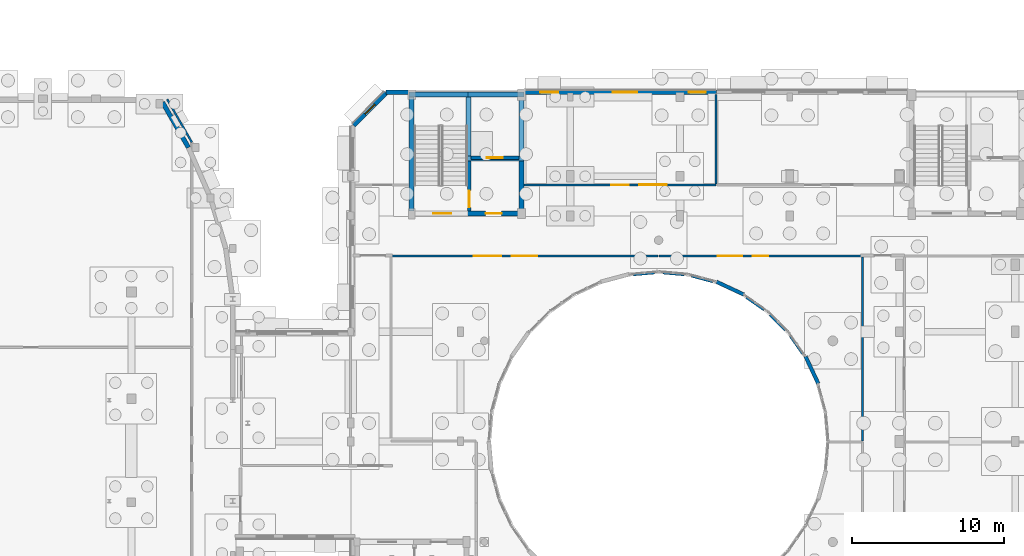
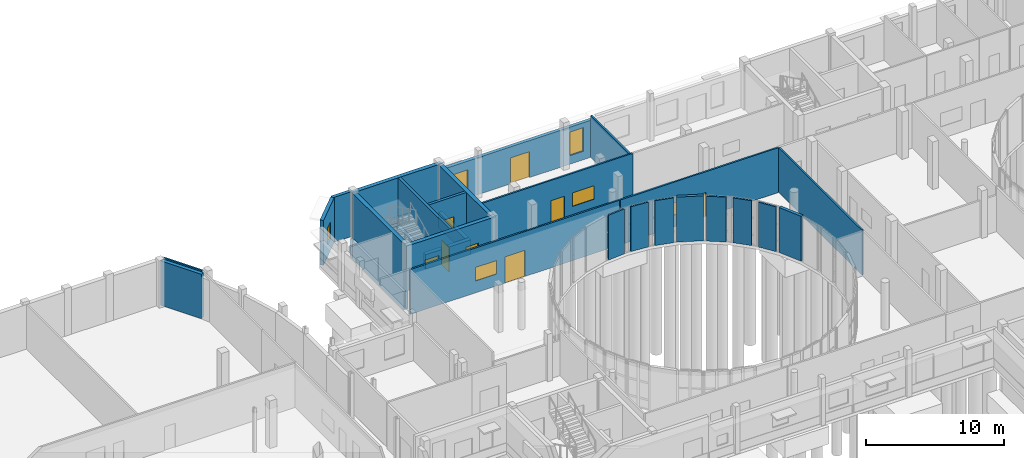
# One storey, part 71 of 93: 30 walls, 8 doors, 6 windows, 14 openings.
"""IFC4 building model written with IfcOpenShell, lengths in metres."""

from ifc_helpers import new_model, si_unit, direction, frame, frame_2d, origin, place, context, subcontext, project, spatial, rectangle, extrude, material, layer, layer_set, type_object, element, fill, save


model = new_model("IFC4")

# Units and contexts
model_context = context("Model", 3, precision=1e-05, world=origin(), true_north=direction((0.0, 1.0)))
body_context = subcontext(model_context, "Body", "Model", "MODEL_VIEW")
ifc_project = project(units=[si_unit("LENGTHUNIT", "METRE"), si_unit("AREAUNIT", "SQUARE_METRE"), si_unit("VOLUMEUNIT", "CUBIC_METRE"), si_unit("PLANEANGLEUNIT", "RADIAN"), si_unit("MASSUNIT", "GRAM", prefix="KILO")], contexts=[model_context])

# Site, building, storey
site_placement = place(None, origin())
site = spatial("IfcSite", under=ifc_project, at=site_placement, CompositionType="ELEMENT")
building_placement = place(site_placement, origin())
building = spatial("IfcBuilding", under=site, at=building_placement, Name="Kelanivale Promenade Academy", CompositionType="ELEMENT")
storey_placement = place(building_placement, origin())
storey = spatial("IfcBuildingStorey", under=building, at=storey_placement, Name="L00", CompositionType="ELEMENT", Elevation=0.0)

# Walls
ifc_material_1 = material(Name="Concrete C40/50", Category="concrete")
ifc_layer_1 = layer(ifc_material_1, 0.330078125)
ifc_layer_set_1 = layer_set([ifc_layer_1], Name="Concrete C40/50")
wall_type_1 = type_object("IfcWallType", Name="CW-S1 Wall 330mm", PredefinedType="SHEAR", material=ifc_layer_set_1)
for number, where, z_axis, x_axis, name in (
    (1, (50.7548828125, 75.360107421875, -1.550048828125), (0.0, 0.0, 1.0), (1.0, 0.0, 0.0), "CORE-4 lift pit wall"),
    (2, (50.7548828125, 79.550048828125, -1.550048828125), (0.0, 0.0, 1.0), (1.0, 0.0, 0.0), "CORE-4 lift pit wall"),
):
    element("IfcWall", number, at=place(storey_placement, frame(where, z_axis=z_axis, x_axis=x_axis)), inside=storey, type_object=wall_type_1, Name=name, PredefinedType="SHEAR", context=body_context, shape_type="SweptSolid", body=[
        extrude(rectangle(XDim=3.81005859375, YDim=0.330078125, at=frame_2d((1.905029296875, 0.0))), origin(), (0.0, 0.0, 1.0), 1.300048828125),
    ])
for number, where, z_axis, x_axis, name in (
    (3, (50.919921875, 75.52490234375, -1.550048828125), (0.0, 0.0, 1.0), (0.0, 1.0, 0.0), "CORE-4 lift pit wall"),
    (4, (54.39990234375, 75.52490234375, -1.550048828125), (0.0, 0.0, 1.0), (0.0, 1.0, 0.0), "CORE-4 lift pit wall"),
):
    element("IfcWall", number, at=place(storey_placement, frame(where, z_axis=z_axis, x_axis=x_axis)), inside=storey, type_object=wall_type_1, Name=name, PredefinedType="SHEAR", context=body_context, shape_type="SweptSolid", body=[
        extrude(rectangle(XDim=3.860107421875, YDim=0.330078125, at=frame_2d((1.93017578125, 0.0))), origin(), (0.0, 0.0, 1.0), 1.300048828125),
    ])
wall_1_placement = place(storey_placement, frame((47.199951171875, 71.9150390625, -1.85009765625), z_axis=(0.0, 0.0, 1.0), x_axis=(0.0, 1.0, 0.0)))
element("IfcWall", 5, at=wall_1_placement, inside=storey, type_object=wall_type_1, Name="CORE-4 core raft starter wall", PredefinedType="SHEAR", context=body_context, shape_type="SweptSolid", body=[
    extrude(rectangle(XDim=7.469970703125, YDim=0.330078125, at=frame_2d((3.73486328125, 0.0))), origin(), (0.0, 0.0, 1.0), 1.60009765625),
])
wall_2_placement = place(storey_placement, frame((47.034912109375, 79.550048828125, -1.85009765625), z_axis=(0.0, 0.0, 1.0), x_axis=(1.0, 0.0, 0.0)))
element("IfcWall", 6, at=wall_2_placement, inside=storey, type_object=wall_type_1, Name="CORE-4 core raft starter wall", PredefinedType="SHEAR", context=body_context, shape_type="SweptSolid", body=[
    extrude(rectangle(XDim=3.864990234375, YDim=0.330078125, at=frame_2d((1.9326171875, 0.0))), origin(), (0.0, 0.0, 1.0), 1.60009765625),
])

# Wall, openings, doors
wall_3_placement = place(storey_placement, frame((47.034912109375, 71.75, 0.0), z_axis=(0.0, 0.0, 1.0), x_axis=(1.0, 0.0, 0.0)))
wall_3 = element("IfcWall", 7, at=wall_3_placement, inside=storey, type_object=wall_type_1, Name="CORE-4 RC shear wall S L00", PredefinedType="SHEAR", context=body_context, shape_type="SweptSolid", body=[
    extrude(rectangle(XDim=7.530029296875, YDim=0.330078125, at=frame_2d((3.76513671875, 0.0))), origin(), (0.0, 0.0, 1.0), 3.97998046875),
])
opening_1_placement = place(wall_3_placement, frame((5.014892578125, 0.0, 0.0)))
opening_1 = element("IfcOpeningElement", 8, at=opening_1_placement, cuts=wall_3, Name="Opening FD-CORE-4-LB-L00", PredefinedType="OPENING", context=body_context, shape_type="SweptSolid", body=[
    extrude(rectangle(XDim=1.050048828125, YDim=2.14990234375, at=frame_2d((0.52490234375, 1.074951171875))), frame((0.0, 0.175048828125, 0.0), z_axis=(0.0, -1.0, 0.0), x_axis=(1.0, 0.0, 0.0)), (0.0, 0.0, 1.0), 0.35009765625),
])
opening_2_placement = place(wall_3_placement, frame((1.56494140625, 0.0, 0.0)))
opening_2 = element("IfcOpeningElement", 9, at=opening_2_placement, cuts=wall_3, Name="Opening FD-CORE-4-ST-L00", PredefinedType="OPENING", context=body_context, shape_type="SweptSolid", body=[
    extrude(rectangle(XDim=1.199951171875, YDim=2.199951171875, at=frame_2d((0.60009765625, 1.10009765625))), frame((0.0, 0.175048828125, 0.0), z_axis=(0.0, -1.0, 0.0), x_axis=(1.0, 0.0, 0.0)), (0.0, 0.0, 1.0), 0.35009765625),
])
ifc_material_2 = material(Name="Fire-rated steel-core teak veneer", Category="steel")
door_type_1 = type_object("IfcDoorType", Name="DT-F02 Door 1200x2200", OperationType="NOTDEFINED", PredefinedType="DOOR", material=ifc_material_2)
door_1_placement = place(opening_2_placement, frame((1.199951171875, 0.0, 0.0), z_axis=(0.0, 0.0, 1.0), x_axis=(-1.0, 0.0, 0.0)))
door_1 = element("IfcDoor", 10, at=door_1_placement, inside=storey, type_object=door_type_1, Name="CORE-4 protected stair fire door L00", OperationType="SINGLE_SWING_LEFT", OverallHeight=2.199951171875, OverallWidth=1.199951171875, PredefinedType="DOOR", context=body_context, shape_type="SweptSolid", body=[
    extrude(rectangle(XDim=1.199951171875, YDim=2.199951171875, at=frame_2d((0.60009765625, 1.10009765625))), frame((0.0, 0.02490234375, 0.0), z_axis=(0.0, -1.0, 0.0), x_axis=(1.0, 0.0, 0.0)), (0.0, 0.0, 1.0), 0.050048828125),
])
fill(opening_2, door_1)
door_type_2 = type_object("IfcDoorType", Name="DT-F03 Door 1050x2150", OperationType="NOTDEFINED", PredefinedType="DOOR", material=ifc_material_2)
door_2_placement = place(opening_1_placement, origin())
door_2 = element("IfcDoor", 11, at=door_2_placement, inside=storey, type_object=door_type_2, Name="CORE-4 corridor-to-lobby fire door L00", OperationType="SINGLE_SWING_RIGHT", OverallHeight=2.14990234375, OverallWidth=1.050048828125, PredefinedType="DOOR", context=body_context, shape_type="SweptSolid", body=[
    extrude(rectangle(XDim=1.050048828125, YDim=2.14990234375, at=frame_2d((0.52490234375, 1.074951171875))), frame((0.0, 0.02490234375, 0.0), z_axis=(0.0, -1.0, 0.0), x_axis=(1.0, 0.0, 0.0)), (0.0, 0.0, 1.0), 0.050048828125),
])
fill(opening_1, door_2)

# Walls
wall_4_placement = place(storey_placement, frame((47.034912109375, 79.550048828125, 0.0), z_axis=(0.0, 0.0, 1.0), x_axis=(1.0, 0.0, 0.0)))
element("IfcWall", 12, at=wall_4_placement, inside=storey, type_object=wall_type_1, Name="CORE-4 RC shear wall N L00", PredefinedType="SHEAR", context=body_context, shape_type="SweptSolid", body=[
    extrude(rectangle(XDim=7.530029296875, YDim=0.330078125, at=frame_2d((3.76513671875, 0.0))), origin(), (0.0, 0.0, 1.0), 3.97998046875),
])
for number, where, z_axis, x_axis, name in (
    (13, (47.199951171875, 71.9150390625, 0.0), (0.0, 0.0, 1.0), (0.0, 1.0, 0.0), "CORE-4 RC shear wall W L00"),
    (14, (54.39990234375, 71.9150390625, 0.0), (0.0, 0.0, 1.0), (0.0, 1.0, 0.0), "CORE-4 RC shear wall E L00"),
):
    element("IfcWall", number, at=place(storey_placement, frame(where, z_axis=z_axis, x_axis=x_axis)), inside=storey, type_object=wall_type_1, Name=name, PredefinedType="SHEAR", context=body_context, shape_type="SweptSolid", body=[
        extrude(rectangle(XDim=7.469970703125, YDim=0.330078125, at=frame_2d((3.73486328125, 0.0))), origin(), (0.0, 0.0, 1.0), 3.97998046875),
    ])

# Wall, opening, door
ifc_layer_2 = layer(ifc_material_1, 0.22509765625)
ifc_layer_set_2 = layer_set([ifc_layer_2], Name="Concrete C40/50")
wall_type_2 = type_object("IfcWallType", Name="CW-S2 Wall 225mm", PredefinedType="SHEAR", material=ifc_layer_set_2)
wall_5_placement = place(storey_placement, frame((51.0849609375, 75.419921875, 0.0), z_axis=(0.0, 0.0, 1.0), x_axis=(1.0, 0.0, 0.0)))
wall_5 = element("IfcWall", 15, at=wall_5_placement, inside=storey, type_object=wall_type_2, Name="CORE-4 lift shaft front RC wall L00", PredefinedType="SHEAR", context=body_context, shape_type="SweptSolid", body=[
    extrude(rectangle(XDim=3.150146484375, YDim=0.22509765625, at=frame_2d((1.5751953125, 0.0))), origin(), (0.0, 0.0, 1.0), 3.97998046875),
])
opening_3_placement = place(wall_5_placement, frame((1.050048828125, 0.0, 0.0)))
opening_3 = element("IfcOpeningElement", 16, at=opening_3_placement, cuts=wall_5, Name="Opening LD-LF-P2-L00", PredefinedType="OPENING", context=body_context, shape_type="SweptSolid", body=[
    extrude(rectangle(XDim=1.050048828125, YDim=2.199951171875, at=frame_2d((0.52490234375, 1.10009765625))), frame((0.0, 0.12255859375, 0.0), z_axis=(0.0, -1.0, 0.0), x_axis=(1.0, 0.0, 0.0)), (0.0, 0.0, 1.0), 0.2451171875),
])
door_type_3 = type_object("IfcDoorType", Name="LD-PL1 Door 1050x2200", OperationType="NOTDEFINED", PredefinedType="DOOR", material=ifc_material_2)
door_3_placement = place(opening_3_placement, origin())
door_3 = element("IfcDoor", 17, at=door_3_placement, inside=storey, type_object=door_type_3, Name="Passenger lift landing door LD-LF-P2-L00", OperationType="SLIDING_TO_LEFT", OverallHeight=2.199951171875, OverallWidth=1.050048828125, PredefinedType="DOOR", context=body_context, shape_type="SweptSolid", body=[
    extrude(rectangle(XDim=1.050048828125, YDim=2.199951171875, at=frame_2d((0.52490234375, 1.10009765625))), frame((0.0, 0.02490234375, 0.0), z_axis=(0.0, -1.0, 0.0), x_axis=(1.0, 0.0, 0.0)), (0.0, 0.0, 1.0), 0.050048828125),
])
fill(opening_3, door_3)

ifc_layer_3 = layer(ifc_material_1, 0.219970703125)
ifc_layer_set_3 = layer_set([ifc_layer_3], Name="Concrete C40/50")
wall_type_3 = type_object("IfcWallType", Name="CW-S3 Wall 220mm", PredefinedType="SHEAR", material=ifc_layer_set_3)
wall_6_placement = place(storey_placement, frame((50.97509765625, 71.9150390625, 0.0), z_axis=(0.0, 0.0, 1.0), x_axis=(0.0, 1.0, 0.0)))
wall_6 = element("IfcWall", 18, at=wall_6_placement, inside=storey, type_object=wall_type_3, Name="CORE-4 stair-lobby dividing RC wall L00", PredefinedType="SHEAR", context=body_context, shape_type="SweptSolid", body=[
    extrude(rectangle(XDim=7.469970703125, YDim=0.219970703125, at=frame_2d((3.73486328125, 0.0))), origin(), (0.0, 0.0, 1.0), 3.97998046875),
])
opening_4_placement = place(wall_6_placement, frame((0.25, 0.0, 0.0)))
opening_4 = element("IfcOpeningElement", 19, at=opening_4_placement, cuts=wall_6, Name="Opening FD-CORE-4-SL-L00", PredefinedType="OPENING", context=body_context, shape_type="SweptSolid", body=[
    extrude(rectangle(XDim=1.10009765625, YDim=2.14990234375, at=frame_2d((0.550048828125, 1.074951171875))), frame((0.0, 0.1201171875, 0.0), z_axis=(0.0, -1.0, 0.0), x_axis=(1.0, 0.0, 0.0)), (0.0, 0.0, 1.0), 0.239990234375),
])
door_type_4 = type_object("IfcDoorType", Name="DT-F01 Door 1100x2150", OperationType="NOTDEFINED", PredefinedType="DOOR", material=ifc_material_2)
door_4_placement = place(opening_4_placement, origin())
door_4 = element("IfcDoor", 20, at=door_4_placement, inside=storey, type_object=door_type_4, Name="CORE-4 lobby-to-stair fire door L00", OperationType="SINGLE_SWING_LEFT", OverallHeight=2.14990234375, OverallWidth=1.10009765625, PredefinedType="DOOR", context=body_context, shape_type="SweptSolid", body=[
    extrude(rectangle(XDim=1.10009765625, YDim=2.14990234375, at=frame_2d((0.550048828125, 1.074951171875))), frame((0.0, 0.02490234375, 0.0), z_axis=(0.0, -1.0, 0.0), x_axis=(1.0, 0.0, 0.0)), (0.0, 0.0, 1.0), 0.050048828125),
])
fill(opening_4, door_4)

# Wall
ifc_material_3 = material(Name="Insulated terracotta-clad masonry wall 300 mm", Category="masonry")
ifc_layer_4 = layer(ifc_material_3, 0.300048828125)
ifc_layer_set_4 = layer_set([ifc_layer_4], Name="Insulated terracotta-clad masonry wall 300 mm")
wall_type_4 = type_object("IfcWallType", Name="EW-01 Wall 300mm", PredefinedType="SOLIDWALL", material=ifc_layer_set_4)
wall_7_placement = place(storey_placement, frame((32.550048828125, 76.0859375, 0.0), z_axis=(0.0, 0.0, 1.0), x_axis=(-0.497345429475, 0.867552605771, 0.0)))
element("IfcWall", 21, at=wall_7_placement, inside=storey, type_object=wall_type_4, Name="Sports Hall Crescent Pavilion inner crescent wall L00", PredefinedType="SOLIDWALL", context=body_context, shape_type="SweptSolid", body=[
    extrude(rectangle(XDim=3.419921875, YDim=0.300048828125, at=frame_2d((1.7099609375, 0.0))), origin(), (0.0, 0.0, 1.0), 3.93505859375),
])

# Wall, openings, door, windows
ifc_material_4 = material(Name="Insulated ivory stucco masonry wall 280 mm", Category="masonry")
ifc_layer_5 = layer(ifc_material_4, 0.280029296875)
ifc_layer_set_5 = layer_set([ifc_layer_5], Name="Insulated ivory stucco masonry wall 280 mm")
wall_type_5 = type_object("IfcWallType", Name="EW-02 Wall 280mm", PredefinedType="SOLIDWALL", material=ifc_layer_set_5)
wall_8_placement = place(storey_placement, frame((67.199951171875, 79.7099609375, 0.0), z_axis=(0.0, 0.0, 1.0), x_axis=(-1.0, 0.0, 0.0)))
wall_8 = element("IfcWall", 22, at=wall_8_placement, inside=storey, type_object=wall_type_5, Name="L00 exterior facade wall EW-L00-ORT-0312", PredefinedType="SOLIDWALL", context=body_context, shape_type="SweptSolid", body=[
    extrude(rectangle(XDim=12.635009765625, YDim=0.280029296875, at=frame_2d((6.3173828125, 0.0))), origin(), (0.0, 0.0, 1.0), 3.27490234375),
])
opening_5_placement = place(wall_8_placement, frame((5.199951171875, 0.0, 0.0)))
opening_5 = element("IfcOpeningElement", 23, at=opening_5_placement, cuts=wall_8, Name="Opening ED-05", PredefinedType="OPENING", context=body_context, shape_type="SweptSolid", body=[
    extrude(rectangle(XDim=1.60009765625, YDim=2.300048828125, at=frame_2d((0.800048828125, 1.14990234375))), frame((0.0, 0.14990234375, 0.0), z_axis=(0.0, -1.0, 0.0), x_axis=(1.0, 0.0, 0.0)), (0.0, 0.0, 1.0), 0.300048828125),
])
opening_6_placement = place(wall_8_placement, frame((0.7060546875, 0.0, 0.75)))
opening_6 = element("IfcOpeningElement", 24, at=opening_6_placement, cuts=wall_8, Name="Opening WT-17", PredefinedType="OPENING", context=body_context, shape_type="SweptSolid", body=[
    extrude(rectangle(XDim=1.10009765625, YDim=2.10009765625, at=frame_2d((0.550048828125, 1.050048828125))), frame((0.0, 0.14990234375, 0.0), z_axis=(0.0, -1.0, 0.0), x_axis=(1.0, 0.0, 0.0)), (0.0, 0.0, 1.0), 0.300048828125),
])
opening_7_placement = place(wall_8_placement, frame((10.37890625, 0.0, 0.85009765625)))
opening_7 = element("IfcOpeningElement", 25, at=opening_7_placement, cuts=wall_8, Name="Opening WT-05", PredefinedType="OPENING", context=body_context, shape_type="SweptSolid", body=[
    extrude(rectangle(XDim=1.199951171875, YDim=1.64990234375, at=frame_2d((0.60009765625, 0.824951171875))), frame((0.0, 0.14990234375, 0.0), z_axis=(0.0, -1.0, 0.0), x_axis=(1.0, 0.0, 0.0)), (0.0, 0.0, 1.0), 0.300048828125),
])
ifc_material_5 = material(Name="Bronze anodised aluminium and laminated glass", Category="aluminium")
door_type_5 = type_object("IfcDoorType", Name="DT-X02 Door 1600x2300", OperationType="NOTDEFINED", PredefinedType="DOOR", material=ifc_material_5)
door_5_placement = place(opening_5_placement, frame((1.60009765625, 0.0, 0.0), z_axis=(0.0, 0.0, 1.0), x_axis=(-1.0, 0.0, 0.0)))
door_5 = element("IfcDoor", 26, at=door_5_placement, inside=storey, type_object=door_type_5, Name="North-west courtyard exit discharge door ED-05", OperationType="DOUBLE_DOOR_SINGLE_SWING", OverallHeight=2.300048828125, OverallWidth=1.60009765625, PredefinedType="DOOR", context=body_context, shape_type="SweptSolid", body=[
    extrude(rectangle(XDim=1.60009765625, YDim=2.300048828125, at=frame_2d((0.800048828125, 1.14990234375))), frame((0.0, 0.02490234375, 0.0), z_axis=(0.0, -1.0, 0.0), x_axis=(1.0, 0.0, 0.0)), (0.0, 0.0, 1.0), 0.050048828125),
])
fill(opening_5, door_5)
ifc_material_6 = material(Name="Bronze anodised aluminium frame with low-E laminated glass", Category="aluminium")
window_type_1 = type_object("IfcWindowType", Name="WT-05 Window 1200x1650", PartitioningType="SINGLE_PANEL", PredefinedType="WINDOW", material=ifc_material_6)
window_1_placement = place(opening_7_placement, origin())
window_1 = element("IfcWindow", 27, at=window_1_placement, inside=storey, type_object=window_type_1, Name="Window WT-05", OverallHeight=1.64990234375, OverallWidth=1.199951171875, PartitioningType="SINGLE_PANEL", PredefinedType="WINDOW", context=body_context, shape_type="SweptSolid", body=[
    extrude(rectangle(XDim=1.199951171875, YDim=1.64990234375, at=frame_2d((0.60009765625, 0.824951171875))), frame((0.0, 0.030029296875, 0.0), z_axis=(0.0, -1.0, 0.0), x_axis=(1.0, 0.0, 0.0)), (0.0, 0.0, 1.0), 0.06005859375),
])
fill(opening_7, window_1)
window_type_2 = type_object("IfcWindowType", Name="WT-17 Window 1100x2100", PartitioningType="SINGLE_PANEL", PredefinedType="WINDOW", material=ifc_material_6)
window_2_placement = place(opening_6_placement, origin())
window_2 = element("IfcWindow", 28, at=window_2_placement, inside=storey, type_object=window_type_2, Name="Window WT-17", OverallHeight=2.10009765625, OverallWidth=1.10009765625, PartitioningType="SINGLE_PANEL", PredefinedType="WINDOW", context=body_context, shape_type="SweptSolid", body=[
    extrude(rectangle(XDim=1.10009765625, YDim=2.10009765625, at=frame_2d((0.550048828125, 1.050048828125))), frame((0.0, 0.030029296875, 0.0), z_axis=(0.0, -1.0, 0.0), x_axis=(1.0, 0.0, 0.0)), (0.0, 0.0, 1.0), 0.06005859375),
])
fill(opening_6, window_2)

# Wall
wall_9_placement = place(storey_placement, frame((47.034912109375, 79.7099609375, 0.0), z_axis=(0.0, 0.0, 1.0), x_axis=(-1.0, 0.0, 0.0)))
element("IfcWall", 29, at=wall_9_placement, inside=storey, type_object=wall_type_5, Name="L00 exterior facade wall EW-L00-ORT-0313", PredefinedType="SOLIDWALL", context=body_context, shape_type="SweptSolid", body=[
    extrude(rectangle(XDim=1.52294921875, YDim=0.280029296875, at=frame_2d((0.761474609375, 0.0))), origin(), (0.0, 0.0, 1.0), 3.97998046875),
])

# Wall, opening, window
wall_10_placement = place(storey_placement, frame((45.52392578125, 79.666015625, 0.0), z_axis=(0.0, 0.0, 1.0), x_axis=(-0.707066445384, -0.707147114688, 0.0)))
wall_10 = element("IfcWall", 30, at=wall_10_placement, inside=storey, type_object=wall_type_5, Name="L00 exterior facade wall EW-L00-ORT-0314", PredefinedType="SOLIDWALL", context=body_context, shape_type="SweptSolid", body=[
    extrude(rectangle(XDim=3.0263671875, YDim=0.280029296875, at=frame_2d((1.51318359375, 0.0))), origin(), (0.0, 0.0, 1.0), 3.97998046875),
])
opening_8_placement = place(wall_10_placement, frame((1.06298828125, 0.0, 1.050048828125)))
opening_8 = element("IfcOpeningElement", 31, at=opening_8_placement, cuts=wall_10, Name="Opening WT-06", PredefinedType="OPENING", context=body_context, shape_type="SweptSolid", body=[
    extrude(rectangle(XDim=0.89990234375, YDim=1.5, at=frame_2d((0.449951171875, 0.75))), frame((0.0, 0.14990234375, 0.0), z_axis=(0.0, -1.0, 0.0), x_axis=(1.0, 0.0, 0.0)), (0.0, 0.0, 1.0), 0.300048828125),
])
window_type_3 = type_object("IfcWindowType", Name="WT-06 Window 900x1500", PartitioningType="SINGLE_PANEL", PredefinedType="WINDOW", material=ifc_material_6)
window_3_placement = place(opening_8_placement, origin())
window_3 = element("IfcWindow", 32, at=window_3_placement, inside=storey, type_object=window_type_3, Name="Window WT-06", OverallHeight=1.5, OverallWidth=0.89990234375, PartitioningType="SINGLE_PANEL", PredefinedType="WINDOW", context=body_context, shape_type="SweptSolid", body=[
    extrude(rectangle(XDim=0.89990234375, YDim=1.5, at=frame_2d((0.449951171875, 0.75))), frame((0.0, 0.030029296875, 0.0), z_axis=(0.0, -1.0, 0.0), x_axis=(1.0, 0.0, 0.0)), (0.0, 0.0, 1.0), 0.06005859375),
])
fill(opening_8, window_3)

# Walls
ifc_material_7 = material(Name="Insulated courtyard stucco masonry wall 240 mm", Category="masonry")
ifc_layer_6 = layer(ifc_material_7, 0.239990234375)
ifc_layer_set_6 = layer_set([ifc_layer_6], Name="Insulated courtyard stucco masonry wall 240 mm")
wall_type_6 = type_object("IfcWallType", Name="EW-04 Wall 240mm", PredefinedType="SOLIDWALL", material=ifc_layer_set_6)
wall_11_placement = place(storey_placement, frame((68.98193359375, 66.44189453125, 0.0), z_axis=(0.0, 0.0, 1.0), x_axis=(-0.906084909348, 0.423095895811, 0.0)))
element("IfcWall", 33, at=wall_11_placement, inside=storey, type_object=wall_type_6, Name="L00 round courtyard stucco wall", PredefinedType="SOLIDWALL", context=body_context, shape_type="SweptSolid", body=[
    extrude(rectangle(XDim=1.96875, YDim=0.239990234375, at=frame_2d((0.984375, 0.0))), origin(), (0.0, 0.0, 1.0), 3.97998046875),
])
wall_12_placement = place(storey_placement, frame((73.875, 60.597900390625, 0.0), z_axis=(0.0, 0.0, 1.0), x_axis=(-0.423048362943, 0.906107103278, 0.0)))
element("IfcWall", 34, at=wall_12_placement, inside=storey, type_object=wall_type_6, Name="L00 round courtyard stucco wall", PredefinedType="SOLIDWALL", context=body_context, shape_type="SweptSolid", body=[
    extrude(rectangle(XDim=1.968994140625, YDim=0.239990234375, at=frame_2d((0.984375, 0.0))), origin(), (0.0, 0.0, 1.0), 3.97998046875),
])
ifc_material_8 = material(Name="Acoustic double-stud gypsum board partition 140 mm", Category="masonry")
ifc_layer_7 = layer(ifc_material_8, 0.139892578125)
ifc_layer_set_7 = layer_set([ifc_layer_7], Name="Acoustic double-stud gypsum board partition 140 mm")
wall_type_7 = type_object("IfcWallType", Name="IW-04 Wall 140mm", PredefinedType="PARTITIONING", material=ifc_layer_set_7)
wall_13_placement = place(storey_placement, frame((61.735107421875, 67.72509765625, 0.0), z_axis=(0.0, 0.0, 1.0), x_axis=(0.99623071841, 0.086743044083, 0.0)))
element("IfcWall", 35, at=wall_13_placement, inside=storey, type_object=wall_type_7, Name="L00 partition Junior Classroom West B", PredefinedType="PARTITIONING", context=body_context, shape_type="SweptSolid", body=[
    extrude(rectangle(XDim=1.393310546875, YDim=0.139892578125, at=frame_2d((0.69677734375, 0.0))), origin(), (0.0, 0.0, 1.0), 3.97509765625),
])

# Wall, openings, door, window
wall_14_placement = place(storey_placement, frame((63.3701171875, 68.969970703125, 0.0), z_axis=(0.0, 0.0, 1.0), x_axis=(-1.0, 0.0, 0.0)))
wall_14 = element("IfcWall", 36, at=wall_14_placement, inside=storey, type_object=wall_type_7, Name="L00 partition Junior Classroom West B", PredefinedType="PARTITIONING", context=body_context, shape_type="SweptSolid", body=[
    extrude(rectangle(XDim=17.5400390625, YDim=0.139892578125, at=frame_2d((8.77001953125, 0.0))), origin(), (0.0, 0.0, 1.0), 3.97509765625),
])
opening_9_placement = place(wall_14_placement, frame((7.945068359375, 0.0, 0.0)))
opening_9 = element("IfcOpeningElement", 37, at=opening_9_placement, cuts=wall_14, Name="Opening ID-L00-036", PredefinedType="OPENING", context=body_context, shape_type="SweptSolid", body=[
    extrude(rectangle(XDim=1.64990234375, YDim=2.320068359375, at=frame_2d((0.824951171875, 1.16015625))), frame((0.0, 0.080078125, 0.0), z_axis=(0.0, -1.0, 0.0), x_axis=(1.0, 0.0, 0.0)), (0.0, 0.0, 1.0), 0.159912109375),
])
opening_10_placement = place(wall_14_placement, frame((10.294921875, 0.0, 1.050048828125)))
opening_10 = element("IfcOpeningElement", 38, at=opening_10_placement, cuts=wall_14, Name="Opening WT-I02", PredefinedType="OPENING", context=body_context, shape_type="SweptSolid", body=[
    extrude(rectangle(XDim=1.800048828125, YDim=1.199951171875, at=frame_2d((0.89990234375, 0.60009765625))), frame((0.0, 0.080078125, 0.0), z_axis=(0.0, -1.0, 0.0), x_axis=(1.0, 0.0, 0.0)), (0.0, 0.0, 1.0), 0.159912109375),
])
ifc_material_9 = material(Name="Solid-core tropical teak timber", Category="wood")
door_type_6 = type_object("IfcDoorType", Name="DT-I21 Door 1650x2320", OperationType="NOTDEFINED", PredefinedType="DOOR", material=ifc_material_9)
door_6_placement = place(opening_9_placement, origin())
door_6 = element("IfcDoor", 39, at=door_6_placement, inside=storey, type_object=door_type_6, Name="Junior Classroom West B door ID-L00-036", OperationType="DOUBLE_DOOR_SINGLE_SWING", OverallHeight=2.320068359375, OverallWidth=1.64990234375, PredefinedType="DOOR", context=body_context, shape_type="SweptSolid", body=[
    extrude(rectangle(XDim=1.64990234375, YDim=2.320068359375, at=frame_2d((0.824951171875, 1.16015625))), frame((0.0, 0.02490234375, 0.0), z_axis=(0.0, -1.0, 0.0), x_axis=(1.0, 0.0, 0.0)), (0.0, 0.0, 1.0), 0.050048828125),
])
fill(opening_9, door_6)
window_type_4 = type_object("IfcWindowType", Name="WT-I02 Window 1800x1200", PartitioningType="SINGLE_PANEL", PredefinedType="WINDOW", material=ifc_material_6)
window_4_placement = place(opening_10_placement, origin())
window_4 = element("IfcWindow", 40, at=window_4_placement, inside=storey, type_object=window_type_4, Name="Interior observation window WT-I02", OverallHeight=1.199951171875, OverallWidth=1.800048828125, PartitioningType="SINGLE_PANEL", PredefinedType="WINDOW", context=body_context, shape_type="SweptSolid", body=[
    extrude(rectangle(XDim=1.800048828125, YDim=1.199951171875, at=frame_2d((0.89990234375, 0.60009765625))), frame((0.0, 0.030029296875, 0.0), z_axis=(0.0, -1.0, 0.0), x_axis=(1.0, 0.0, 0.0)), (0.0, 0.0, 1.0), 0.06005859375),
])
fill(opening_10, window_4)

# Wall
wall_15_placement = place(storey_placement, frame((76.77001953125, 56.830078125, 0.0), z_axis=(0.0, 0.0, 1.0), x_axis=(0.0, 1.0, 0.0)))
element("IfcWall", 41, at=wall_15_placement, inside=storey, type_object=wall_type_7, Name="L00 partition Hygiene Therapy Room Courtyard North", PredefinedType="PARTITIONING", context=body_context, shape_type="SweptSolid", body=[
    extrude(rectangle(XDim=12.08203125, YDim=0.139892578125, at=frame_2d((6.041015625, 0.0))), origin(), (0.0, 0.0, 1.0), 3.97509765625),
])

# Wall, openings, door, window
wall_16_placement = place(storey_placement, frame((76.77001953125, 68.969970703125, 0.0), z_axis=(0.0, 0.0, 1.0), x_axis=(-1.0, 0.0, 0.0)))
wall_16 = element("IfcWall", 42, at=wall_16_placement, inside=storey, type_object=wall_type_7, Name="L00 partition Hygiene Therapy Room Courtyard North", PredefinedType="PARTITIONING", context=body_context, shape_type="SweptSolid", body=[
    extrude(rectangle(XDim=13.340087890625, YDim=0.139892578125, at=frame_2d((6.669921875, 0.0))), origin(), (0.0, 0.0, 1.0), 3.97509765625),
])
opening_11_placement = place(wall_16_placement, frame((6.159912109375, 0.0, 0.0)))
opening_11 = element("IfcOpeningElement", 43, at=opening_11_placement, cuts=wall_16, Name="Opening ID-L00-038", PredefinedType="OPENING", context=body_context, shape_type="SweptSolid", body=[
    extrude(rectangle(XDim=1.02001953125, YDim=2.139892578125, at=frame_2d((0.510009765625, 1.06982421875))), frame((0.0, 0.080078125, 0.0), z_axis=(0.0, -1.0, 0.0), x_axis=(1.0, 0.0, 0.0)), (0.0, 0.0, 1.0), 0.159912109375),
])
opening_12_placement = place(wall_16_placement, frame((7.8798828125, 0.0, 1.050048828125)))
opening_12 = element("IfcOpeningElement", 44, at=opening_12_placement, cuts=wall_16, Name="Opening WT-I01", PredefinedType="OPENING", context=body_context, shape_type="SweptSolid", body=[
    extrude(rectangle(XDim=1.60009765625, YDim=1.10009765625, at=frame_2d((0.800048828125, 0.550048828125))), frame((0.0, 0.080078125, 0.0), z_axis=(0.0, -1.0, 0.0), x_axis=(1.0, 0.0, 0.0)), (0.0, 0.0, 1.0), 0.159912109375),
])
door_type_7 = type_object("IfcDoorType", Name="DT-I15 Door 1020x2140", OperationType="NOTDEFINED", PredefinedType="DOOR", material=ifc_material_9)
door_7_placement = place(opening_11_placement, origin())
door_7 = element("IfcDoor", 45, at=door_7_placement, inside=storey, type_object=door_type_7, Name="Hygiene Therapy Room Courtyard North door ID-L00-038", OperationType="SINGLE_SWING_LEFT", OverallHeight=2.139892578125, OverallWidth=1.02001953125, PredefinedType="DOOR", context=body_context, shape_type="SweptSolid", body=[
    extrude(rectangle(XDim=1.02001953125, YDim=2.139892578125, at=frame_2d((0.510009765625, 1.06982421875))), frame((0.0, 0.02490234375, 0.0), z_axis=(0.0, -1.0, 0.0), x_axis=(1.0, 0.0, 0.0)), (0.0, 0.0, 1.0), 0.050048828125),
])
fill(opening_11, door_7)
window_type_5 = type_object("IfcWindowType", Name="WT-I01 Window 1600x1100", PartitioningType="SINGLE_PANEL", PredefinedType="WINDOW", material=ifc_material_6)
window_5_placement = place(opening_12_placement, origin())
window_5 = element("IfcWindow", 46, at=window_5_placement, inside=storey, type_object=window_type_5, Name="Interior observation window WT-I01", OverallHeight=1.10009765625, OverallWidth=1.60009765625, PartitioningType="SINGLE_PANEL", PredefinedType="WINDOW", context=body_context, shape_type="SweptSolid", body=[
    extrude(rectangle(XDim=1.60009765625, YDim=1.10009765625, at=frame_2d((0.800048828125, 0.550048828125))), frame((0.0, 0.030029296875, 0.0), z_axis=(0.0, -1.0, 0.0), x_axis=(1.0, 0.0, 0.0)), (0.0, 0.0, 1.0), 0.06005859375),
])
fill(opening_12, window_5)

# Walls
wall_17_placement = place(storey_placement, frame((63.677001953125, 67.845947265625, 0.0), z_axis=(0.0, 0.0, 1.0), x_axis=(0.99623071841, -0.086743044083, 0.0)))
element("IfcWall", 47, at=wall_17_placement, inside=storey, type_object=wall_type_7, Name="L00 partition Hygiene Therapy Room Courtyard North", PredefinedType="PARTITIONING", context=body_context, shape_type="SweptSolid", body=[
    extrude(rectangle(XDim=1.393310546875, YDim=0.139892578125, at=frame_2d((0.69677734375, 0.0))), origin(), (0.0, 0.0, 1.0), 3.97509765625),
])
wall_18_placement = place(storey_placement, frame((65.572021484375, 67.635009765625, 0.0), z_axis=(0.0, 0.0, 1.0), x_axis=(0.966013611766, -0.258491202719, 0.0)))
element("IfcWall", 48, at=wall_18_placement, inside=storey, type_object=wall_type_7, Name="L00 partition Hygiene Therapy Room Courtyard North", PredefinedType="PARTITIONING", context=body_context, shape_type="SweptSolid", body=[
    extrude(rectangle(XDim=1.412109375, YDim=0.139892578125, at=frame_2d((0.7060546875, 0.0))), origin(), (0.0, 0.0, 1.0), 3.97509765625),
])
wall_19_placement = place(storey_placement, frame((69.14697265625, 66.239013671875, 0.0), z_axis=(0.0, 0.0, 1.0), x_axis=(0.819077743108, -0.57368253481, 0.0)))
element("IfcWall", 49, at=wall_19_placement, inside=storey, type_object=wall_type_7, Name="L00 partition Hygiene Therapy Room Courtyard North", PredefinedType="PARTITIONING", context=body_context, shape_type="SweptSolid", body=[
    extrude(rectangle(XDim=1.413818359375, YDim=0.139892578125, at=frame_2d((0.70703125, 0.0))), origin(), (0.0, 0.0, 1.0), 3.97509765625),
])
wall_20_placement = place(storey_placement, frame((70.698974609375, 65.096923828125, 0.0), z_axis=(0.0, 0.0, 1.0), x_axis=(0.707193272138, -0.707020279655, 0.0)))
element("IfcWall", 50, at=wall_20_placement, inside=storey, type_object=wall_type_7, Name="L00 partition Hygiene Therapy Room Courtyard North", PredefinedType="PARTITIONING", context=body_context, shape_type="SweptSolid", body=[
    extrude(rectangle(XDim=1.411376953125, YDim=0.139892578125, at=frame_2d((0.70556640625, 0.0))), origin(), (0.0, 0.0, 1.0), 3.97509765625),
])
wall_21_placement = place(storey_placement, frame((72.028076171875, 63.705078125, 0.0), z_axis=(0.0, 0.0, 1.0), x_axis=(0.57368253481, -0.819077743108, 0.0)))
element("IfcWall", 51, at=wall_21_placement, inside=storey, type_object=wall_type_7, Name="L00 partition Hygiene Therapy Room Courtyard North", PredefinedType="PARTITIONING", context=body_context, shape_type="SweptSolid", body=[
    extrude(rectangle(XDim=1.413818359375, YDim=0.139892578125, at=frame_2d((0.70703125, 0.0))), origin(), (0.0, 0.0, 1.0), 3.97509765625),
])

# Wall, openings, door, window
wall_22_placement = place(storey_placement, frame((54.56298828125, 73.6298828125, 0.0), z_axis=(0.0, 0.0, 1.0), x_axis=(1.0, 0.0, 0.0)))
wall_22 = element("IfcWall", 52, at=wall_22_placement, inside=storey, type_object=wall_type_7, Name="L00 partition Junior Classroom North 1", PredefinedType="PARTITIONING", context=body_context, shape_type="SweptSolid", body=[
    extrude(rectangle(XDim=12.60693359375, YDim=0.139892578125, at=frame_2d((6.303466796875, 0.0))), origin(), (0.0, 0.0, 1.0), 3.97509765625),
])
opening_13_placement = place(wall_22_placement, frame((5.742919921875, 0.0, 0.0)))
opening_13 = element("IfcOpeningElement", 53, at=opening_13_placement, cuts=wall_22, Name="Opening ID-L00-048", PredefinedType="OPENING", context=body_context, shape_type="SweptSolid", body=[
    extrude(rectangle(XDim=1.1201171875, YDim=2.179931640625, at=frame_2d((0.56005859375, 1.08984375))), frame((0.0, 0.080078125, 0.0), z_axis=(0.0, -1.0, 0.0), x_axis=(1.0, 0.0, 0.0)), (0.0, 0.0, 1.0), 0.159912109375),
])
opening_14_placement = place(wall_22_placement, frame((7.56298828125, 0.0, 1.050048828125)))
opening_14 = element("IfcOpeningElement", 54, at=opening_14_placement, cuts=wall_22, Name="Opening WT-I02", PredefinedType="OPENING", context=body_context, shape_type="SweptSolid", body=[
    extrude(rectangle(XDim=1.800048828125, YDim=1.199951171875, at=frame_2d((0.89990234375, 0.60009765625))), frame((0.0, 0.080078125, 0.0), z_axis=(0.0, -1.0, 0.0), x_axis=(1.0, 0.0, 0.0)), (0.0, 0.0, 1.0), 0.159912109375),
])
door_type_8 = type_object("IfcDoorType", Name="DT-I17 Door 1120x2180", OperationType="NOTDEFINED", PredefinedType="DOOR", material=ifc_material_9)
door_8_placement = place(opening_13_placement, origin())
door_8 = element("IfcDoor", 55, at=door_8_placement, inside=storey, type_object=door_type_8, Name="Junior Classroom North 1 door ID-L00-048", OperationType="SINGLE_SWING_LEFT", OverallHeight=2.179931640625, OverallWidth=1.1201171875, PredefinedType="DOOR", context=body_context, shape_type="SweptSolid", body=[
    extrude(rectangle(XDim=1.1201171875, YDim=2.179931640625, at=frame_2d((0.56005859375, 1.08984375))), frame((0.0, 0.02490234375, 0.0), z_axis=(0.0, -1.0, 0.0), x_axis=(1.0, 0.0, 0.0)), (0.0, 0.0, 1.0), 0.050048828125),
])
fill(opening_13, door_8)
window_6_placement = place(opening_14_placement, origin())
window_6 = element("IfcWindow", 56, at=window_6_placement, inside=storey, type_object=window_type_4, Name="Interior observation window WT-I02", OverallHeight=1.199951171875, OverallWidth=1.800048828125, PartitioningType="SINGLE_PANEL", PredefinedType="WINDOW", context=body_context, shape_type="SweptSolid", body=[
    extrude(rectangle(XDim=1.800048828125, YDim=1.199951171875, at=frame_2d((0.89990234375, 0.60009765625))), frame((0.0, 0.030029296875, 0.0), z_axis=(0.0, -1.0, 0.0), x_axis=(1.0, 0.0, 0.0)), (0.0, 0.0, 1.0), 0.06005859375),
])
fill(opening_14, window_6)

# Walls
wall_23_placement = place(storey_placement, frame((67.169921875, 73.697998046875, 0.0), z_axis=(0.0, 0.0, 1.0), x_axis=(0.0, 1.0, 0.0)))
element("IfcWall", 57, at=wall_23_placement, inside=storey, type_object=wall_type_7, Name="L00 partition Junior Classroom North 1", PredefinedType="PARTITIONING", context=body_context, shape_type="SweptSolid", body=[
    extrude(rectangle(XDim=5.8740234375, YDim=0.139892578125, at=frame_2d((2.93701171875, 0.0))), origin(), (0.0, 0.0, 1.0), 3.72412109375),
])
ifc_material_10 = material(Name="Moisture-resistant masonry wet-room partition 125 mm", Category="masonry")
ifc_layer_8 = layer(ifc_material_10, 0.125)
ifc_layer_set_8 = layer_set([ifc_layer_8], Name="Moisture-resistant masonry wet-room partition 125 mm")
wall_type_8 = type_object("IfcWallType", Name="IW-05 Wall 125mm", PredefinedType="PARTITIONING", material=ifc_layer_set_8)
wall_24_placement = place(storey_placement, frame((32.77001953125, 76.43408203125, 0.0), z_axis=(0.0, 0.0, 1.0), x_axis=(-0.497590895777, 0.867411840154, 0.0)))
element("IfcWall", 58, at=wall_24_placement, inside=storey, type_object=wall_type_8, Name="L00 partition Girls Sports Changing Room", PredefinedType="PARTITIONING", context=body_context, shape_type="SweptSolid", body=[
    extrude(rectangle(XDim=3.2578125, YDim=0.125, at=frame_2d((1.62890625, 0.0))), origin(), (0.0, 0.0, 1.0), 3.929931640625),
])

save(model, "model.ifc")
